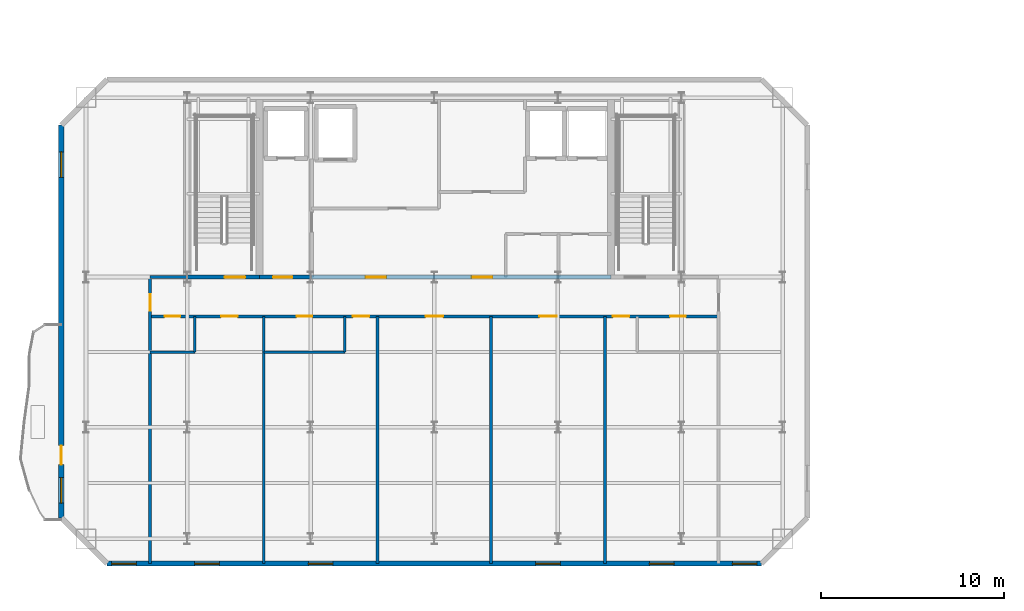
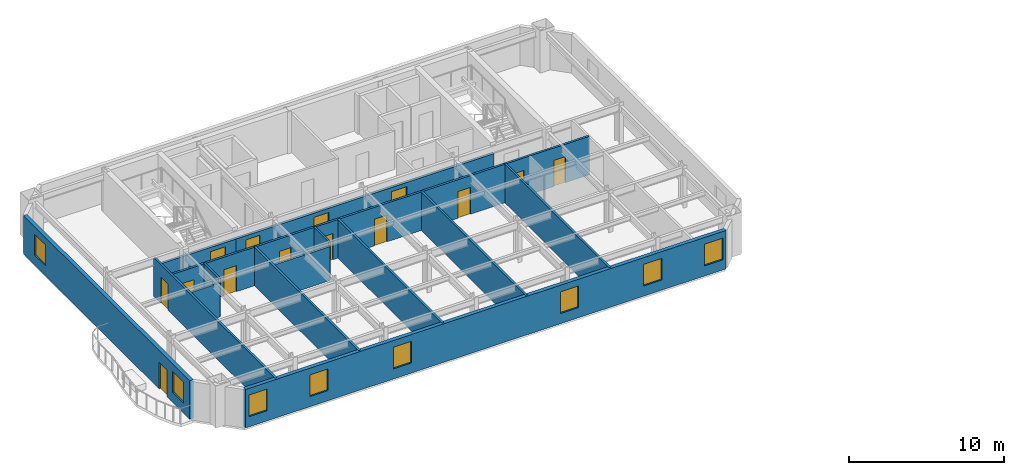
# One storey, part 5 of 14: 16 walls, 14 doors, 8 windows, 22 openings.
"""IFC4 building model written with IfcOpenShell, lengths in metres."""

from ifc_helpers import new_model, si_unit, direction, frame, frame_2d, origin, place, context, subcontext, project, spatial, rectangle, extrude, material, layer, layer_set, type_object, element, fill, save


model = new_model("IFC4")

# Units and contexts
model_context = context("Model", 3, precision=1e-05, world=origin(), true_north=direction((0.0, 1.0)))
body_context = subcontext(model_context, "Body", "Model", "MODEL_VIEW")
ifc_project = project(units=[si_unit("LENGTHUNIT", "METRE"), si_unit("AREAUNIT", "SQUARE_METRE"), si_unit("VOLUMEUNIT", "CUBIC_METRE"), si_unit("PLANEANGLEUNIT", "RADIAN"), si_unit("MASSUNIT", "GRAM", prefix="KILO")], contexts=[model_context])

# Site, building, storey
site_placement = place(None, origin())
site = spatial("IfcSite", under=ifc_project, at=site_placement, CompositionType="ELEMENT")
building_placement = place(site_placement, origin())
building = spatial("IfcBuilding", under=site, at=building_placement, Name="Haevon Station Towers", CompositionType="ELEMENT")
storey_placement = place(building_placement, frame((0.0, 0.0, 205.5)))
storey = spatial("IfcBuildingStorey", under=building, at=storey_placement, Name="L56", CompositionType="ELEMENT", Elevation=205.5)

# Wall, opening, door
ifc_material_1 = material(Name="Gypsum board on steel stud", Category="steel")
ifc_layer_1 = layer(ifc_material_1, 0.199951171875)
ifc_layer_set_1 = layer_set([ifc_layer_1], Name="Gypsum board on steel stud")
wall_type_1 = type_object("IfcWallType", Name="WL-COR200", PredefinedType="PARTITIONING", material=ifc_layer_set_1)
wall_1_placement = place(storey_placement, frame((24.0, 38.199951171875, 0.0), z_axis=(0.0, 0.0, 1.0), x_axis=(1.0, 0.0, 0.0)))
wall_1 = element("IfcWall", 1, at=wall_1_placement, inside=storey, type_object=wall_type_1, Name="WL-ST-ST1-L56", PredefinedType="PARTITIONING", context=body_context, shape_type="SweptSolid", body=[
    extrude(rectangle(XDim=3.949951171875, YDim=0.199951171875, at=frame_2d((1.97509765625, 0.0))), origin(), (0.0, 0.0, 1.0), 2.429931640625),
])
opening_1_placement = place(wall_1_placement, frame((2.050048828125, 0.0, 0.0)))
opening_1 = element("IfcOpeningElement", 2, at=opening_1_placement, cuts=wall_1, Name="Opening DR-ST-ST1-L56", PredefinedType="OPENING", context=body_context, shape_type="SweptSolid", body=[
    extrude(rectangle(XDim=1.1201171875, YDim=2.10009765625, at=frame_2d((0.56005859375, 1.050048828125))), frame((0.0, 0.10986328125, 0.0), z_axis=(0.0, -1.0, 0.0), x_axis=(1.0, 0.0, 0.0)), (0.0, 0.0, 1.0), 0.219970703125),
])
ifc_material_2 = material(Name="Engineered oak timber", Category="wood")
door_type_1 = type_object("IfcDoorType", Name="DR-ST-1120", OperationType="NOTDEFINED", PredefinedType="DOOR", material=ifc_material_2)
door_1_placement = place(opening_1_placement, origin())
door_1 = element("IfcDoor", 3, at=door_1_placement, inside=storey, type_object=door_type_1, Name="L56 Escape Stair ST1 Fire Door", OperationType="SINGLE_SWING_RIGHT", OverallHeight=2.10009765625, OverallWidth=1.1201171875, PredefinedType="DOOR", context=body_context, shape_type="SweptSolid", body=[
    extrude(rectangle(XDim=1.1201171875, YDim=2.10009765625, at=frame_2d((0.56005859375, 1.050048828125))), frame((0.0, 0.02490234375, 0.0), z_axis=(0.0, -1.0, 0.0), x_axis=(1.0, 0.0, 0.0)), (0.0, 0.0, 1.0), 0.050048828125),
])
fill(opening_1, door_1)

wall_2_placement = place(storey_placement, frame((27.949951171875, 38.199951171875, 0.0), z_axis=(0.0, 0.0, 1.0), x_axis=(1.0, 0.0, 0.0)))
wall_2 = element("IfcWall", 4, at=wall_2_placement, inside=storey, type_object=wall_type_1, Name="WL-T1FFL-L56-S", PredefinedType="PARTITIONING", context=body_context, shape_type="SweptSolid", body=[
    extrude(rectangle(XDim=2.85009765625, YDim=0.199951171875, at=frame_2d((1.425048828125, 0.0))), origin(), (0.0, 0.0, 1.0), 2.429931640625),
])
opening_2_placement = place(wall_2_placement, frame((0.75, 0.0, 0.0)))
opening_2 = element("IfcOpeningElement", 5, at=opening_2_placement, cuts=wall_2, Name="Opening DR-T1FFL-L56-S", PredefinedType="OPENING", context=body_context, shape_type="SweptSolid", body=[
    extrude(rectangle(XDim=1.050048828125, YDim=2.10009765625, at=frame_2d((0.52490234375, 1.050048828125))), frame((0.0, 0.10986328125, 0.0), z_axis=(0.0, -1.0, 0.0), x_axis=(1.0, 0.0, 0.0)), (0.0, 0.0, 1.0), 0.219970703125),
])
door_type_2 = type_object("IfcDoorType", Name="DR-FD60-1050", OperationType="NOTDEFINED", PredefinedType="DOOR", material=ifc_material_2)
door_2_placement = place(opening_2_placement, origin())
door_2 = element("IfcDoor", 6, at=door_2_placement, inside=storey, type_object=door_type_2, Name="L56 Tower 1 Firefighting Lift Lobby Door S", OperationType="SINGLE_SWING_LEFT", OverallHeight=2.10009765625, OverallWidth=1.050048828125, PredefinedType="DOOR", context=body_context, shape_type="SweptSolid", body=[
    extrude(rectangle(XDim=1.050048828125, YDim=2.10009765625, at=frame_2d((0.52490234375, 1.050048828125))), frame((0.0, 0.02490234375, 0.0), z_axis=(0.0, -1.0, 0.0), x_axis=(1.0, 0.0, 0.0)), (0.0, 0.0, 1.0), 0.050048828125),
])
fill(opening_2, door_2)

# Wall, openings, doors
wall_3_placement = place(storey_placement, frame((30.800048828125, 38.199951171875, 0.0), z_axis=(0.0, 0.0, 1.0), x_axis=(1.0, 0.0, 0.0)))
wall_3 = element("IfcWall", 7, at=wall_3_placement, inside=storey, type_object=wall_type_1, Name="WL-T1CLB-L56", PredefinedType="PARTITIONING", context=body_context, shape_type="SweptSolid", body=[
    extrude(rectangle(XDim=16.349853515625, YDim=0.199951171875, at=frame_2d((8.1748046875, 0.0))), origin(), (0.0, 0.0, 1.0), 2.429931640625),
])
opening_3_placement = place(wall_3_placement, frame((2.949951171875, 0.0, 0.0)))
opening_3 = element("IfcOpeningElement", 8, at=opening_3_placement, cuts=wall_3, Name="Opening DR-T1CLB-L56-1", PredefinedType="OPENING", context=body_context, shape_type="SweptSolid", body=[
    extrude(rectangle(XDim=1.1201171875, YDim=2.10009765625, at=frame_2d((0.56005859375, 1.050048828125))), frame((0.0, 0.10986328125, 0.0), z_axis=(0.0, -1.0, 0.0), x_axis=(1.0, 0.0, 0.0)), (0.0, 0.0, 1.0), 0.219970703125),
])
opening_4_placement = place(wall_3_placement, frame((8.75, 0.0, 0.0)))
opening_4 = element("IfcOpeningElement", 9, at=opening_4_placement, cuts=wall_3, Name="Opening DR-T1CLB-L56-2", PredefinedType="OPENING", context=body_context, shape_type="SweptSolid", body=[
    extrude(rectangle(XDim=1.1201171875, YDim=2.10009765625, at=frame_2d((0.56005859375, 1.050048828125))), frame((0.0, 0.10986328125, 0.0), z_axis=(0.0, -1.0, 0.0), x_axis=(1.0, 0.0, 0.0)), (0.0, 0.0, 1.0), 0.219970703125),
])
door_3_placement = place(opening_3_placement, origin())
door_3 = element("IfcDoor", 10, at=door_3_placement, inside=storey, type_object=door_type_1, Name="L56 Tower 1 Core Lift Lobby Door 1", OperationType="SINGLE_SWING_RIGHT", OverallHeight=2.10009765625, OverallWidth=1.1201171875, PredefinedType="DOOR", context=body_context, shape_type="SweptSolid", body=[
    extrude(rectangle(XDim=1.1201171875, YDim=2.10009765625, at=frame_2d((0.56005859375, 1.050048828125))), frame((0.0, 0.02490234375, 0.0), z_axis=(0.0, -1.0, 0.0), x_axis=(1.0, 0.0, 0.0)), (0.0, 0.0, 1.0), 0.050048828125),
])
fill(opening_3, door_3)
door_4_placement = place(opening_4_placement, origin())
door_4 = element("IfcDoor", 11, at=door_4_placement, inside=storey, type_object=door_type_1, Name="L56 Tower 1 Core Lift Lobby Door 2", OperationType="SINGLE_SWING_LEFT", OverallHeight=2.10009765625, OverallWidth=1.1201171875, PredefinedType="DOOR", context=body_context, shape_type="SweptSolid", body=[
    extrude(rectangle(XDim=1.1201171875, YDim=2.10009765625, at=frame_2d((0.56005859375, 1.050048828125))), frame((0.0, 0.02490234375, 0.0), z_axis=(0.0, -1.0, 0.0), x_axis=(1.0, 0.0, 0.0)), (0.0, 0.0, 1.0), 0.050048828125),
])
fill(opening_4, door_4)

# Wall, openings, windows
ifc_material_3 = material(Name="Precast concrete C45/55", Category="concrete")
ifc_layer_2 = layer(ifc_material_3, 0.280029296875)
ifc_layer_set_2 = layer_set([ifc_layer_2], Name="Precast concrete C45/55")
wall_type_2 = type_object("IfcWallType", Name="WL-EXT-PIER280", PredefinedType="SOLIDWALL", material=ifc_layer_set_2)
wall_4_placement = place(storey_placement, frame((55.375, 22.550048828125, 0.0), z_axis=(0.0, 0.0, 1.0), x_axis=(-1.0, 0.0, 0.0)))
wall_4 = element("IfcWall", 12, at=wall_4_placement, inside=storey, type_object=wall_type_2, Name="WL-T1-L56-S", PredefinedType="SOLIDWALL", context=body_context, shape_type="SweptSolid", body=[
    extrude(rectangle(XDim=35.75, YDim=0.280029296875, at=frame_2d((17.875, 0.0))), origin(), (0.0, 0.0, 1.0), 3.030029296875),
])
opening_5_placement = place(wall_4_placement, frame((34.14990234375, 0.0, 0.800048828125)))
opening_5 = element("IfcOpeningElement", 13, at=opening_5_placement, cuts=wall_4, Name="Opening WN-P135", PredefinedType="OPENING", context=body_context, shape_type="SweptSolid", body=[
    extrude(rectangle(XDim=1.35009765625, YDim=1.699951171875, at=frame_2d((0.675048828125, 0.85009765625))), frame((0.0, 0.14990234375, 0.0), z_axis=(0.0, -1.0, 0.0), x_axis=(1.0, 0.0, 0.0)), (0.0, 0.0, 1.0), 0.300048828125),
])
opening_6_placement = place(wall_4_placement, frame((0.25, 0.0, 0.800048828125)))
opening_6 = element("IfcOpeningElement", 14, at=opening_6_placement, cuts=wall_4, Name="Opening WN-P135", PredefinedType="OPENING", context=body_context, shape_type="SweptSolid", body=[
    extrude(rectangle(XDim=1.35009765625, YDim=1.699951171875, at=frame_2d((0.675048828125, 0.85009765625))), frame((0.0, 0.14990234375, 0.0), z_axis=(0.0, -1.0, 0.0), x_axis=(1.0, 0.0, 0.0)), (0.0, 0.0, 1.0), 0.300048828125),
])
opening_7_placement = place(wall_4_placement, frame((29.6201171875, 0.0, 0.800048828125)))
opening_7 = element("IfcOpeningElement", 15, at=opening_7_placement, cuts=wall_4, Name="Opening WN-P135", PredefinedType="OPENING", context=body_context, shape_type="SweptSolid", body=[
    extrude(rectangle(XDim=1.35009765625, YDim=1.699951171875, at=frame_2d((0.675048828125, 0.85009765625))), frame((0.0, 0.14990234375, 0.0), z_axis=(0.0, -1.0, 0.0), x_axis=(1.0, 0.0, 0.0)), (0.0, 0.0, 1.0), 0.300048828125),
])
opening_8_placement = place(wall_4_placement, frame((23.409912109375, 0.0, 0.800048828125)))
opening_8 = element("IfcOpeningElement", 16, at=opening_8_placement, cuts=wall_4, Name="Opening WN-P135", PredefinedType="OPENING", context=body_context, shape_type="SweptSolid", body=[
    extrude(rectangle(XDim=1.35009765625, YDim=1.699951171875, at=frame_2d((0.675048828125, 0.85009765625))), frame((0.0, 0.14990234375, 0.0), z_axis=(0.0, -1.0, 0.0), x_axis=(1.0, 0.0, 0.0)), (0.0, 0.0, 1.0), 0.300048828125),
])
opening_9_placement = place(wall_4_placement, frame((10.989990234375, 0.0, 0.800048828125)))
opening_9 = element("IfcOpeningElement", 17, at=opening_9_placement, cuts=wall_4, Name="Opening WN-P135", PredefinedType="OPENING", context=body_context, shape_type="SweptSolid", body=[
    extrude(rectangle(XDim=1.35009765625, YDim=1.699951171875, at=frame_2d((0.675048828125, 0.85009765625))), frame((0.0, 0.14990234375, 0.0), z_axis=(0.0, -1.0, 0.0), x_axis=(1.0, 0.0, 0.0)), (0.0, 0.0, 1.0), 0.300048828125),
])
opening_10_placement = place(wall_4_placement, frame((4.780029296875, 0.0, 0.800048828125)))
opening_10 = element("IfcOpeningElement", 18, at=opening_10_placement, cuts=wall_4, Name="Opening WN-P135", PredefinedType="OPENING", context=body_context, shape_type="SweptSolid", body=[
    extrude(rectangle(XDim=1.35009765625, YDim=1.699951171875, at=frame_2d((0.675048828125, 0.85009765625))), frame((0.0, 0.14990234375, 0.0), z_axis=(0.0, -1.0, 0.0), x_axis=(1.0, 0.0, 0.0)), (0.0, 0.0, 1.0), 0.300048828125),
])
ifc_material_4 = material(Name="Low-E triple glazing in thermally broken aluminium", Category="aluminium")
window_type_1 = type_object("IfcWindowType", Name="WN-P135", PartitioningType="SINGLE_PANEL", PredefinedType="WINDOW", material=ifc_material_4)
window_1_placement = place(opening_5_placement, origin())
window_1 = element("IfcWindow", 19, at=window_1_placement, inside=storey, type_object=window_type_1, Name="WN-T1-L56-S01", OverallHeight=1.699951171875, OverallWidth=1.35009765625, PartitioningType="SINGLE_PANEL", PredefinedType="WINDOW", context=body_context, shape_type="SweptSolid", body=[
    extrude(rectangle(XDim=1.35009765625, YDim=1.699951171875, at=frame_2d((0.675048828125, 0.85009765625))), frame((0.0, 0.030029296875, 0.0), z_axis=(0.0, -1.0, 0.0), x_axis=(1.0, 0.0, 0.0)), (0.0, 0.0, 1.0), 0.06005859375),
])
fill(opening_5, window_1)
window_2_placement = place(opening_6_placement, origin())
window_2 = element("IfcWindow", 20, at=window_2_placement, inside=storey, type_object=window_type_1, Name="WN-T1-L56-S02", OverallHeight=1.699951171875, OverallWidth=1.35009765625, PartitioningType="SINGLE_PANEL", PredefinedType="WINDOW", context=body_context, shape_type="SweptSolid", body=[
    extrude(rectangle(XDim=1.35009765625, YDim=1.699951171875, at=frame_2d((0.675048828125, 0.85009765625))), frame((0.0, 0.030029296875, 0.0), z_axis=(0.0, -1.0, 0.0), x_axis=(1.0, 0.0, 0.0)), (0.0, 0.0, 1.0), 0.06005859375),
])
fill(opening_6, window_2)
window_3_placement = place(opening_7_placement, origin())
window_3 = element("IfcWindow", 21, at=window_3_placement, inside=storey, type_object=window_type_1, Name="WN-T1-L56-S03", OverallHeight=1.699951171875, OverallWidth=1.35009765625, PartitioningType="SINGLE_PANEL", PredefinedType="WINDOW", context=body_context, shape_type="SweptSolid", body=[
    extrude(rectangle(XDim=1.35009765625, YDim=1.699951171875, at=frame_2d((0.675048828125, 0.85009765625))), frame((0.0, 0.030029296875, 0.0), z_axis=(0.0, -1.0, 0.0), x_axis=(1.0, 0.0, 0.0)), (0.0, 0.0, 1.0), 0.06005859375),
])
fill(opening_7, window_3)
window_4_placement = place(opening_8_placement, origin())
window_4 = element("IfcWindow", 22, at=window_4_placement, inside=storey, type_object=window_type_1, Name="WN-T1-L56-S04", OverallHeight=1.699951171875, OverallWidth=1.35009765625, PartitioningType="SINGLE_PANEL", PredefinedType="WINDOW", context=body_context, shape_type="SweptSolid", body=[
    extrude(rectangle(XDim=1.35009765625, YDim=1.699951171875, at=frame_2d((0.675048828125, 0.85009765625))), frame((0.0, 0.030029296875, 0.0), z_axis=(0.0, -1.0, 0.0), x_axis=(1.0, 0.0, 0.0)), (0.0, 0.0, 1.0), 0.06005859375),
])
fill(opening_8, window_4)
window_5_placement = place(opening_9_placement, origin())
window_5 = element("IfcWindow", 23, at=window_5_placement, inside=storey, type_object=window_type_1, Name="WN-T1-L56-S05", OverallHeight=1.699951171875, OverallWidth=1.35009765625, PartitioningType="SINGLE_PANEL", PredefinedType="WINDOW", context=body_context, shape_type="SweptSolid", body=[
    extrude(rectangle(XDim=1.35009765625, YDim=1.699951171875, at=frame_2d((0.675048828125, 0.85009765625))), frame((0.0, 0.030029296875, 0.0), z_axis=(0.0, -1.0, 0.0), x_axis=(1.0, 0.0, 0.0)), (0.0, 0.0, 1.0), 0.06005859375),
])
fill(opening_9, window_5)
window_6_placement = place(opening_10_placement, origin())
window_6 = element("IfcWindow", 24, at=window_6_placement, inside=storey, type_object=window_type_1, Name="WN-T1-L56-S06", OverallHeight=1.699951171875, OverallWidth=1.35009765625, PartitioningType="SINGLE_PANEL", PredefinedType="WINDOW", context=body_context, shape_type="SweptSolid", body=[
    extrude(rectangle(XDim=1.35009765625, YDim=1.699951171875, at=frame_2d((0.675048828125, 0.85009765625))), frame((0.0, 0.030029296875, 0.0), z_axis=(0.0, -1.0, 0.0), x_axis=(1.0, 0.0, 0.0)), (0.0, 0.0, 1.0), 0.06005859375),
])
fill(opening_10, window_6)

# Wall, openings, door, windows
wall_5_placement = place(storey_placement, frame((17.125, 25.050048828125, 0.0), z_axis=(0.0, 0.0, 1.0), x_axis=(0.0, 1.0, 0.0)))
wall_5 = element("IfcWall", 25, at=wall_5_placement, inside=storey, type_object=wall_type_2, Name="WL-T1-L56-W", PredefinedType="SOLIDWALL", context=body_context, shape_type="SweptSolid", body=[
    extrude(rectangle(XDim=21.449951171875, YDim=0.280029296875, at=frame_2d((10.72509765625, 0.0))), origin(), (0.0, 0.0, 1.0), 3.030029296875),
])
opening_11_placement = place(wall_5_placement, frame((2.89990234375, 0.0, 0.0)))
opening_11 = element("IfcOpeningElement", 26, at=opening_11_placement, cuts=wall_5, Name="Opening DR-T1-SCAL-L56-W", PredefinedType="OPENING", context=body_context, shape_type="SweptSolid", body=[
    extrude(rectangle(XDim=1.050048828125, YDim=2.10009765625, at=frame_2d((0.52490234375, 1.050048828125))), frame((0.0, 0.14990234375, 0.0), z_axis=(0.0, -1.0, 0.0), x_axis=(1.0, 0.0, 0.0)), (0.0, 0.0, 1.0), 0.300048828125),
])
opening_12_placement = place(wall_5_placement, frame((0.800048828125, 0.0, 0.800048828125)))
opening_12 = element("IfcOpeningElement", 27, at=opening_12_placement, cuts=wall_5, Name="Opening WN-END140", PredefinedType="OPENING", context=body_context, shape_type="SweptSolid", body=[
    extrude(rectangle(XDim=1.39990234375, YDim=1.64990234375, at=frame_2d((0.699951171875, 0.824951171875))), frame((0.0, 0.14990234375, 0.0), z_axis=(0.0, -1.0, 0.0), x_axis=(1.0, 0.0, 0.0)), (0.0, 0.0, 1.0), 0.300048828125),
])
opening_13_placement = place(wall_5_placement, frame((18.591064453125, 0.0, 0.800048828125)))
opening_13 = element("IfcOpeningElement", 28, at=opening_13_placement, cuts=wall_5, Name="Opening WN-END140", PredefinedType="OPENING", context=body_context, shape_type="SweptSolid", body=[
    extrude(rectangle(XDim=1.39990234375, YDim=1.64990234375, at=frame_2d((0.699951171875, 0.824951171875))), frame((0.0, 0.14990234375, 0.0), z_axis=(0.0, -1.0, 0.0), x_axis=(1.0, 0.0, 0.0)), (0.0, 0.0, 1.0), 0.300048828125),
])
ifc_material_5 = material(Name="Thermally broken anodised aluminium and laminated safety glass", Category="aluminium")
door_type_3 = type_object("IfcDoorType", Name="DR-BALC-1050", OperationType="NOTDEFINED", PredefinedType="DOOR", material=ifc_material_5)
door_5_placement = place(opening_11_placement, origin())
door_5 = element("IfcDoor", 29, at=door_5_placement, inside=storey, type_object=door_type_3, Name="Tower 1 L56 West Scalloped Balcony Door", OperationType="SINGLE_SWING_RIGHT", OverallHeight=2.10009765625, OverallWidth=1.050048828125, PredefinedType="DOOR", context=body_context, shape_type="SweptSolid", body=[
    extrude(rectangle(XDim=1.050048828125, YDim=2.10009765625, at=frame_2d((0.52490234375, 1.050048828125))), frame((0.0, 0.02490234375, 0.0), z_axis=(0.0, -1.0, 0.0), x_axis=(1.0, 0.0, 0.0)), (0.0, 0.0, 1.0), 0.050048828125),
])
fill(opening_11, door_5)
window_type_2 = type_object("IfcWindowType", Name="WN-END140", PartitioningType="SINGLE_PANEL", PredefinedType="WINDOW", material=ifc_material_4)
window_7_placement = place(opening_12_placement, origin())
window_7 = element("IfcWindow", 30, at=window_7_placement, inside=storey, type_object=window_type_2, Name="WN-T1-L56-W01", OverallHeight=1.64990234375, OverallWidth=1.39990234375, PartitioningType="SINGLE_PANEL", PredefinedType="WINDOW", context=body_context, shape_type="SweptSolid", body=[
    extrude(rectangle(XDim=1.39990234375, YDim=1.64990234375, at=frame_2d((0.699951171875, 0.824951171875))), frame((0.0, 0.030029296875, 0.0), z_axis=(0.0, -1.0, 0.0), x_axis=(1.0, 0.0, 0.0)), (0.0, 0.0, 1.0), 0.06005859375),
])
fill(opening_12, window_7)
window_8_placement = place(opening_13_placement, origin())
window_8 = element("IfcWindow", 31, at=window_8_placement, inside=storey, type_object=window_type_2, Name="WN-T1-L56-W02", OverallHeight=1.64990234375, OverallWidth=1.39990234375, PartitioningType="SINGLE_PANEL", PredefinedType="WINDOW", context=body_context, shape_type="SweptSolid", body=[
    extrude(rectangle(XDim=1.39990234375, YDim=1.64990234375, at=frame_2d((0.699951171875, 0.824951171875))), frame((0.0, 0.030029296875, 0.0), z_axis=(0.0, -1.0, 0.0), x_axis=(1.0, 0.0, 0.0)), (0.0, 0.0, 1.0), 0.06005859375),
])
fill(opening_13, window_8)

# Walls
ifc_layer_3 = layer(ifc_material_1, 0.125)
ifc_layer_set_3 = layer_set([ifc_layer_3], Name="Gypsum board on steel stud")
wall_type_3 = type_object("IfcWallType", Name="WL-PRT125", PredefinedType="PARTITIONING", material=ifc_layer_set_3)
wall_6_placement = place(storey_placement, frame((21.97509765625, 34.10009765625, 0.0), z_axis=(0.0, 0.0, 1.0), x_axis=(1.0, 0.0, 0.0)))
element("IfcWall", 32, at=wall_6_placement, inside=storey, type_object=wall_type_3, Name="WL-T1PT-L56-05", PredefinedType="PARTITIONING", context=body_context, shape_type="SweptSolid", body=[
    extrude(rectangle(XDim=2.449951171875, YDim=0.125, at=frame_2d((1.22509765625, 0.0))), origin(), (0.0, 0.0, 1.0), 2.679931640625),
])
wall_7_placement = place(storey_placement, frame((32.614990234375, 34.10009765625, 0.0), z_axis=(0.0, 0.0, 1.0), x_axis=(0.0, 1.0, 0.0)))
element("IfcWall", 33, at=wall_7_placement, inside=storey, type_object=wall_type_3, Name="WL-T1PT-L56-09", PredefinedType="PARTITIONING", context=body_context, shape_type="SweptSolid", body=[
    extrude(rectangle(XDim=1.949951171875, YDim=0.125, at=frame_2d((0.97509765625, 0.0))), origin(), (0.0, 0.0, 1.0), 3.030029296875),
])
ifc_layer_4 = layer(ifc_material_1, 0.139892578125)
ifc_layer_set_4 = layer_set([ifc_layer_4], Name="Gypsum board on steel stud")
wall_type_4 = type_object("IfcWallType", Name="WL-PRT140", PredefinedType="PARTITIONING", material=ifc_layer_set_4)
wall_8_placement = place(storey_placement, frame((24.425048828125, 34.10009765625, 0.0), z_axis=(0.0, 0.0, 1.0), x_axis=(0.0, 1.0, 0.0)))
element("IfcWall", 34, at=wall_8_placement, inside=storey, type_object=wall_type_4, Name="WL-T1PT-L56-06", PredefinedType="PARTITIONING", context=body_context, shape_type="SweptSolid", body=[
    extrude(rectangle(XDim=1.949951171875, YDim=0.139892578125, at=frame_2d((0.97509765625, 0.0))), origin(), (0.0, 0.0, 1.0), 3.030029296875),
])
wall_9_placement = place(storey_placement, frame((28.18505859375, 34.10009765625, 0.0), z_axis=(0.0, 0.0, 1.0), x_axis=(1.0, 0.0, 0.0)))
element("IfcWall", 35, at=wall_9_placement, inside=storey, type_object=wall_type_4, Name="WL-T1PT-L56-08", PredefinedType="PARTITIONING", context=body_context, shape_type="SweptSolid", body=[
    extrude(rectangle(XDim=4.429931640625, YDim=0.139892578125, at=frame_2d((2.21484375, 0.0))), origin(), (0.0, 0.0, 1.0), 2.679931640625),
])
ifc_layer_5 = layer(ifc_material_1, 0.159912109375)
ifc_layer_set_5 = layer_set([ifc_layer_5], Name="Gypsum board on steel stud")
wall_type_5 = type_object("IfcWallType", Name="WL-PRT160", PredefinedType="PARTITIONING", material=ifc_layer_set_5)
wall_10_placement = place(storey_placement, frame((21.97509765625, 38.199951171875, 0.0), z_axis=(0.0, 0.0, 1.0), x_axis=(1.0, 0.0, 0.0)))
element("IfcWall", 36, at=wall_10_placement, inside=storey, type_object=wall_type_5, Name="WL-T1PT-L56-01", PredefinedType="PARTITIONING", context=body_context, shape_type="SweptSolid", body=[
    extrude(rectangle(XDim=2.02490234375, YDim=0.159912109375, at=frame_2d((1.012451171875, 0.0))), origin(), (0.0, 0.0, 1.0), 2.429931640625),
])

# Wall, opening, door
wall_11_placement = place(storey_placement, frame((21.97509765625, 22.550048828125, 0.0), z_axis=(0.0, 0.0, 1.0), x_axis=(0.0, 1.0, 0.0)))
wall_11 = element("IfcWall", 37, at=wall_11_placement, inside=storey, type_object=wall_type_5, Name="WL-T1PT-L56-03", PredefinedType="PARTITIONING", context=body_context, shape_type="SweptSolid", body=[
    extrude(rectangle(XDim=15.64990234375, YDim=0.159912109375, at=frame_2d((7.824951171875, 0.0))), origin(), (0.0, 0.0, 1.0), 3.030029296875),
])
opening_14_placement = place(wall_11_placement, frame((13.820068359375, 0.0, 0.0)))
opening_14 = element("IfcOpeningElement", 38, at=opening_14_placement, cuts=wall_11, Name="Opening DR-WL-T1PT-L56-03-01", PredefinedType="OPENING", context=body_context, shape_type="SweptSolid", body=[
    extrude(rectangle(XDim=0.89990234375, YDim=2.050048828125, at=frame_2d((0.449951171875, 1.02490234375))), frame((0.0, 0.08984375, 0.0), z_axis=(0.0, -1.0, 0.0), x_axis=(1.0, 0.0, 0.0)), (0.0, 0.0, 1.0), 0.179931640625),
])
door_type_4 = type_object("IfcDoorType", Name="DR-INT-900", OperationType="NOTDEFINED", PredefinedType="DOOR", material=ifc_material_2)
door_6_placement = place(opening_14_placement, origin())
door_6 = element("IfcDoor", 39, at=door_6_placement, inside=storey, type_object=door_type_4, Name="L56 Tower 1 Room Door 3-1", OperationType="SINGLE_SWING_LEFT", OverallHeight=2.050048828125, OverallWidth=0.89990234375, PredefinedType="DOOR", context=body_context, shape_type="SweptSolid", body=[
    extrude(rectangle(XDim=0.89990234375, YDim=2.050048828125, at=frame_2d((0.449951171875, 1.02490234375))), frame((0.0, 0.02490234375, 0.0), z_axis=(0.0, -1.0, 0.0), x_axis=(1.0, 0.0, 0.0)), (0.0, 0.0, 1.0), 0.050048828125),
])
fill(opening_14, door_6)

# Walls
for number, where, z_axis, x_axis, name in (
    (40, (28.18505859375, 22.550048828125, 0.0), (0.0, 0.0, 1.0), (0.0, 1.0, 0.0), "WL-T1PT-L56-07"),
    (41, (34.39501953125, 22.550048828125, 0.0), (0.0, 0.0, 1.0), (0.0, 1.0, 0.0), "WL-T1PT-L56-10"),
    (42, (40.60498046875, 22.550048828125, 0.0), (0.0, 0.0, 1.0), (0.0, 1.0, 0.0), "WL-T1PT-L56-11"),
    (43, (46.81494140625, 22.550048828125, 0.0), (0.0, 0.0, 1.0), (0.0, 1.0, 0.0), "WL-T1PT-L56-12"),
):
    element("IfcWall", number, at=place(storey_placement, frame(where, z_axis=z_axis, x_axis=x_axis)), inside=storey, type_object=wall_type_5, Name=name, PredefinedType="PARTITIONING", context=body_context, shape_type="SweptSolid", body=[
        extrude(rectangle(XDim=13.5, YDim=0.159912109375, at=frame_2d((6.75, 0.0))), origin(), (0.0, 0.0, 1.0), 3.030029296875),
    ])

# Wall, openings, doors
wall_12_placement = place(storey_placement, frame((21.97509765625, 36.050048828125, 0.0), z_axis=(0.0, 0.0, 1.0), x_axis=(1.0, 0.0, 0.0)))
wall_12 = element("IfcWall", 44, at=wall_12_placement, inside=storey, type_object=wall_type_5, Name="WL-T1PT-L56-15", PredefinedType="PARTITIONING", context=body_context, shape_type="SweptSolid", body=[
    extrude(rectangle(XDim=31.0498046875, YDim=0.159912109375, at=frame_2d((15.52490234375, 0.0))), origin(), (0.0, 0.0, 1.0), 3.030029296875),
])
opening_15_placement = place(wall_12_placement, frame((0.800048828125, 0.0, 0.0)))
opening_15 = element("IfcOpeningElement", 45, at=opening_15_placement, cuts=wall_12, Name="Opening DR-WL-T1PT-L56-15-01", PredefinedType="OPENING", context=body_context, shape_type="SweptSolid", body=[
    extrude(rectangle(XDim=0.85009765625, YDim=2.050048828125, at=frame_2d((0.425048828125, 1.02490234375))), frame((0.0, 0.08984375, 0.0), z_axis=(0.0, -1.0, 0.0), x_axis=(1.0, 0.0, 0.0)), (0.0, 0.0, 1.0), 0.179931640625),
])
opening_16_placement = place(wall_12_placement, frame((3.8798828125, 0.0, 0.0)))
opening_16 = element("IfcOpeningElement", 46, at=opening_16_placement, cuts=wall_12, Name="Opening DR-WL-T1PT-L56-15-02", PredefinedType="OPENING", context=body_context, shape_type="SweptSolid", body=[
    extrude(rectangle(XDim=0.89990234375, YDim=2.050048828125, at=frame_2d((0.449951171875, 1.02490234375))), frame((0.0, 0.08984375, 0.0), z_axis=(0.0, -1.0, 0.0), x_axis=(1.0, 0.0, 0.0)), (0.0, 0.0, 1.0), 0.179931640625),
])
opening_17_placement = place(wall_12_placement, frame((8.0, 0.0, 0.0)))
opening_17 = element("IfcOpeningElement", 47, at=opening_17_placement, cuts=wall_12, Name="Opening DR-WL-T1PT-L56-15-03", PredefinedType="OPENING", context=body_context, shape_type="SweptSolid", body=[
    extrude(rectangle(XDim=0.85009765625, YDim=2.050048828125, at=frame_2d((0.425048828125, 1.02490234375))), frame((0.0, 0.08984375, 0.0), z_axis=(0.0, -1.0, 0.0), x_axis=(1.0, 0.0, 0.0)), (0.0, 0.0, 1.0), 0.179931640625),
])
opening_18_placement = place(wall_12_placement, frame((11.080078125, 0.0, 0.0)))
opening_18 = element("IfcOpeningElement", 48, at=opening_18_placement, cuts=wall_12, Name="Opening DR-WL-T1PT-L56-15-04", PredefinedType="OPENING", context=body_context, shape_type="SweptSolid", body=[
    extrude(rectangle(XDim=0.89990234375, YDim=2.050048828125, at=frame_2d((0.449951171875, 1.02490234375))), frame((0.0, 0.08984375, 0.0), z_axis=(0.0, -1.0, 0.0), x_axis=(1.0, 0.0, 0.0)), (0.0, 0.0, 1.0), 0.179931640625),
])
opening_19_placement = place(wall_12_placement, frame((15.050048828125, 0.0, 0.0)))
opening_19 = element("IfcOpeningElement", 49, at=opening_19_placement, cuts=wall_12, Name="Opening DR-WL-T1PT-L56-15-05", PredefinedType="OPENING", context=body_context, shape_type="SweptSolid", body=[
    extrude(rectangle(XDim=0.949951171875, YDim=2.10009765625, at=frame_2d((0.47509765625, 1.050048828125))), frame((0.0, 0.08984375, 0.0), z_axis=(0.0, -1.0, 0.0), x_axis=(1.0, 0.0, 0.0)), (0.0, 0.0, 1.0), 0.179931640625),
])
opening_20_placement = place(wall_12_placement, frame((21.260009765625, 0.0, 0.0)))
opening_20 = element("IfcOpeningElement", 50, at=opening_20_placement, cuts=wall_12, Name="Opening DR-WL-T1PT-L56-15-06", PredefinedType="OPENING", context=body_context, shape_type="SweptSolid", body=[
    extrude(rectangle(XDim=0.949951171875, YDim=2.10009765625, at=frame_2d((0.47509765625, 1.050048828125))), frame((0.0, 0.08984375, 0.0), z_axis=(0.0, -1.0, 0.0), x_axis=(1.0, 0.0, 0.0)), (0.0, 0.0, 1.0), 0.179931640625),
])
opening_21_placement = place(wall_12_placement, frame((28.409912109375, 0.0, 0.0)))
opening_21 = element("IfcOpeningElement", 51, at=opening_21_placement, cuts=wall_12, Name="Opening DR-WL-T1PT-L56-15-07", PredefinedType="OPENING", context=body_context, shape_type="SweptSolid", body=[
    extrude(rectangle(XDim=0.85009765625, YDim=2.050048828125, at=frame_2d((0.425048828125, 1.02490234375))), frame((0.0, 0.08984375, 0.0), z_axis=(0.0, -1.0, 0.0), x_axis=(1.0, 0.0, 0.0)), (0.0, 0.0, 1.0), 0.179931640625),
])
opening_22_placement = place(wall_12_placement, frame((25.280029296875, 0.0, 0.0)))
opening_22 = element("IfcOpeningElement", 52, at=opening_22_placement, cuts=wall_12, Name="Opening DR-WL-T1PT-L56-15-08", PredefinedType="OPENING", context=body_context, shape_type="SweptSolid", body=[
    extrude(rectangle(XDim=0.89990234375, YDim=2.050048828125, at=frame_2d((0.449951171875, 1.02490234375))), frame((0.0, 0.08984375, 0.0), z_axis=(0.0, -1.0, 0.0), x_axis=(1.0, 0.0, 0.0)), (0.0, 0.0, 1.0), 0.179931640625),
])
door_type_5 = type_object("IfcDoorType", Name="DR-FD30-850", OperationType="NOTDEFINED", PredefinedType="DOOR", material=ifc_material_2)
door_7_placement = place(opening_15_placement, origin())
door_7 = element("IfcDoor", 53, at=door_7_placement, inside=storey, type_object=door_type_5, Name="L56 Tower 1 Room Door 15-1", OperationType="SINGLE_SWING_LEFT", OverallHeight=2.050048828125, OverallWidth=0.85009765625, PredefinedType="DOOR", context=body_context, shape_type="SweptSolid", body=[
    extrude(rectangle(XDim=0.85009765625, YDim=2.050048828125, at=frame_2d((0.425048828125, 1.02490234375))), frame((0.0, 0.02490234375, 0.0), z_axis=(0.0, -1.0, 0.0), x_axis=(1.0, 0.0, 0.0)), (0.0, 0.0, 1.0), 0.050048828125),
])
fill(opening_15, door_7)
door_8_placement = place(opening_17_placement, origin())
door_8 = element("IfcDoor", 54, at=door_8_placement, inside=storey, type_object=door_type_5, Name="L56 Tower 1 Room Door 15-3", OperationType="SINGLE_SWING_LEFT", OverallHeight=2.050048828125, OverallWidth=0.85009765625, PredefinedType="DOOR", context=body_context, shape_type="SweptSolid", body=[
    extrude(rectangle(XDim=0.85009765625, YDim=2.050048828125, at=frame_2d((0.425048828125, 1.02490234375))), frame((0.0, 0.02490234375, 0.0), z_axis=(0.0, -1.0, 0.0), x_axis=(1.0, 0.0, 0.0)), (0.0, 0.0, 1.0), 0.050048828125),
])
fill(opening_17, door_8)
door_9_placement = place(opening_21_placement, origin())
door_9 = element("IfcDoor", 55, at=door_9_placement, inside=storey, type_object=door_type_5, Name="L56 Tower 1 Room Door 15-7", OperationType="SINGLE_SWING_LEFT", OverallHeight=2.050048828125, OverallWidth=0.85009765625, PredefinedType="DOOR", context=body_context, shape_type="SweptSolid", body=[
    extrude(rectangle(XDim=0.85009765625, YDim=2.050048828125, at=frame_2d((0.425048828125, 1.02490234375))), frame((0.0, 0.02490234375, 0.0), z_axis=(0.0, -1.0, 0.0), x_axis=(1.0, 0.0, 0.0)), (0.0, 0.0, 1.0), 0.050048828125),
])
fill(opening_21, door_9)
door_type_6 = type_object("IfcDoorType", Name="DR-FD30-950", OperationType="NOTDEFINED", PredefinedType="DOOR", material=ifc_material_2)
door_10_placement = place(opening_19_placement, origin())
door_10 = element("IfcDoor", 56, at=door_10_placement, inside=storey, type_object=door_type_6, Name="L56 Tower 1 Room Door 15-5", OperationType="SINGLE_SWING_LEFT", OverallHeight=2.10009765625, OverallWidth=0.949951171875, PredefinedType="DOOR", context=body_context, shape_type="SweptSolid", body=[
    extrude(rectangle(XDim=0.949951171875, YDim=2.10009765625, at=frame_2d((0.47509765625, 1.050048828125))), frame((0.0, 0.02490234375, 0.0), z_axis=(0.0, -1.0, 0.0), x_axis=(1.0, 0.0, 0.0)), (0.0, 0.0, 1.0), 0.050048828125),
])
fill(opening_19, door_10)
door_11_placement = place(opening_20_placement, origin())
door_11 = element("IfcDoor", 57, at=door_11_placement, inside=storey, type_object=door_type_6, Name="L56 Tower 1 Room Door 15-6", OperationType="SINGLE_SWING_RIGHT", OverallHeight=2.10009765625, OverallWidth=0.949951171875, PredefinedType="DOOR", context=body_context, shape_type="SweptSolid", body=[
    extrude(rectangle(XDim=0.949951171875, YDim=2.10009765625, at=frame_2d((0.47509765625, 1.050048828125))), frame((0.0, 0.02490234375, 0.0), z_axis=(0.0, -1.0, 0.0), x_axis=(1.0, 0.0, 0.0)), (0.0, 0.0, 1.0), 0.050048828125),
])
fill(opening_20, door_11)
door_12_placement = place(opening_16_placement, origin())
door_12 = element("IfcDoor", 58, at=door_12_placement, inside=storey, type_object=door_type_4, Name="L56 Tower 1 Room Door 15-2", OperationType="SINGLE_SWING_RIGHT", OverallHeight=2.050048828125, OverallWidth=0.89990234375, PredefinedType="DOOR", context=body_context, shape_type="SweptSolid", body=[
    extrude(rectangle(XDim=0.89990234375, YDim=2.050048828125, at=frame_2d((0.449951171875, 1.02490234375))), frame((0.0, 0.02490234375, 0.0), z_axis=(0.0, -1.0, 0.0), x_axis=(1.0, 0.0, 0.0)), (0.0, 0.0, 1.0), 0.050048828125),
])
fill(opening_16, door_12)
door_13_placement = place(opening_18_placement, origin())
door_13 = element("IfcDoor", 59, at=door_13_placement, inside=storey, type_object=door_type_4, Name="L56 Tower 1 Room Door 15-4", OperationType="SINGLE_SWING_RIGHT", OverallHeight=2.050048828125, OverallWidth=0.89990234375, PredefinedType="DOOR", context=body_context, shape_type="SweptSolid", body=[
    extrude(rectangle(XDim=0.89990234375, YDim=2.050048828125, at=frame_2d((0.449951171875, 1.02490234375))), frame((0.0, 0.02490234375, 0.0), z_axis=(0.0, -1.0, 0.0), x_axis=(1.0, 0.0, 0.0)), (0.0, 0.0, 1.0), 0.050048828125),
])
fill(opening_18, door_13)
door_14_placement = place(opening_22_placement, origin())
door_14 = element("IfcDoor", 60, at=door_14_placement, inside=storey, type_object=door_type_4, Name="L56 Tower 1 Room Door 15-8", OperationType="SINGLE_SWING_RIGHT", OverallHeight=2.050048828125, OverallWidth=0.89990234375, PredefinedType="DOOR", context=body_context, shape_type="SweptSolid", body=[
    extrude(rectangle(XDim=0.89990234375, YDim=2.050048828125, at=frame_2d((0.449951171875, 1.02490234375))), frame((0.0, 0.02490234375, 0.0), z_axis=(0.0, -1.0, 0.0), x_axis=(1.0, 0.0, 0.0)), (0.0, 0.0, 1.0), 0.050048828125),
])
fill(opening_22, door_14)

save(model, "model.ifc")
